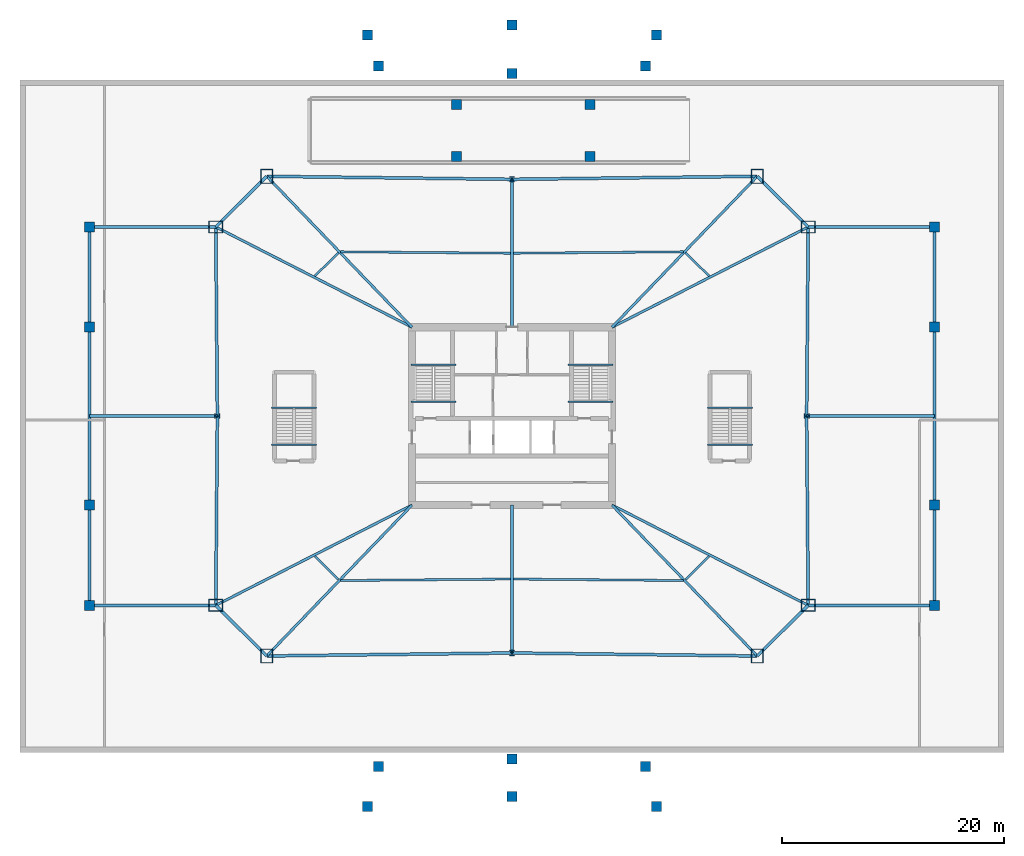
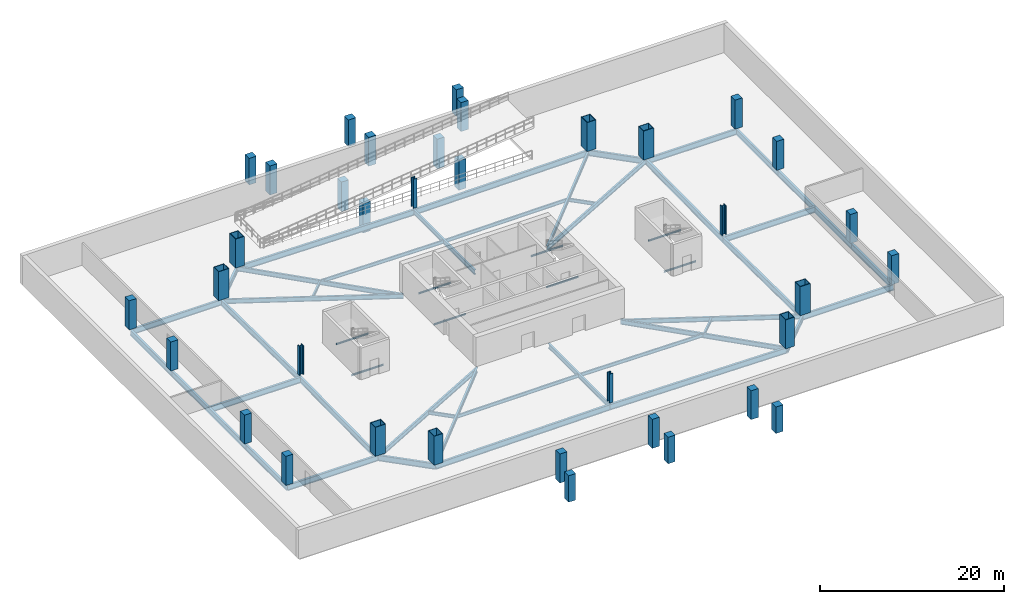
# One storey, part 1 of 9: 50 beams, 36 columns.
"""IFC4 building model written with IfcOpenShell, lengths in metres."""

from ifc_helpers import new_model, si_unit, direction, frame, origin, origin_2d, place, context, subcontext, project, spatial, rectangle, hollow_rectangle, i_section, extrude, material, material_profile, profile_set, type_object, element, save


model = new_model("IFC4")

# Units and contexts
model_context = context("Model", 3, precision=1e-05, world=origin(), true_north=direction((0.0, 1.0)))
body_context = subcontext(model_context, "Body", "Model", "MODEL_VIEW")
ifc_project = project(units=[si_unit("LENGTHUNIT", "METRE"), si_unit("AREAUNIT", "SQUARE_METRE"), si_unit("VOLUMEUNIT", "CUBIC_METRE"), si_unit("PLANEANGLEUNIT", "RADIAN"), si_unit("MASSUNIT", "GRAM", prefix="KILO")], contexts=[model_context])

# Site, building, storey
site_placement = place(None, origin())
site = spatial("IfcSite", under=ifc_project, at=site_placement, CompositionType="ELEMENT")
building_placement = place(site_placement, origin())
building = spatial("IfcBuilding", under=site, at=building_placement, Name="Caelvoria Tower", CompositionType="ELEMENT")
storey_placement = place(building_placement, frame((0.0, 0.0, -4.199951171875)))
storey = spatial("IfcBuildingStorey", under=building, at=storey_placement, Name="B1", CompositionType="ELEMENT", Elevation=-4.199951171875)

# Columns
ifc_material_1 = material(Name="Concrete C50/60", Category="concrete")
ifc_material_profile_1 = material_profile(ifc_material_1, rectangle(XDim=0.89990234375, YDim=0.89990234375, at=origin_2d()), Name="Concrete C50/60")
ifc_profile_set_1 = profile_set([ifc_material_profile_1], Name="RC_COL_900X900 - Concrete C50/60")
column_type_1 = type_object("IfcColumnType", Name="Basement RC Column 900x900", PredefinedType="COLUMN", material=ifc_profile_set_1)
for number, where, z_axis, x_axis, name in (
    (1, (8.0, 14.984375, 0.0), (0.0, 0.0, 1.0), (1.0, 0.0, 0.0), "Basement Wing Column B1-01"),
    (2, (8.0, 24.0, 0.0), (0.0, 0.0, 1.0), (1.0, 0.0, 0.0), "Basement Wing Column B1-02"),
    (3, (8.0, 40.0, 0.0), (0.0, 0.0, 1.0), (1.0, 0.0, 0.0), "Basement Wing Column B1-03"),
    (4, (8.0, 49.015625, 0.0), (0.0, 0.0, 1.0), (1.0, 0.0, 0.0), "Basement Wing Column B1-04"),
    (5, (84.0, 14.984375, 0.0), (0.0, 0.0, 1.0), (1.0, 0.0, 0.0), "Basement Wing Column B1-05"),
    (6, (84.0, 24.0, 0.0), (0.0, 0.0, 1.0), (1.0, 0.0, 0.0), "Basement Wing Column B1-06"),
    (7, (84.0, 40.0, 0.0), (0.0, 0.0, 1.0), (1.0, 0.0, 0.0), "Basement Wing Column B1-07"),
    (8, (84.0, 49.015625, 0.0), (0.0, 0.0, 1.0), (1.0, 0.0, 0.0), "Basement Wing Column B1-08"),
):
    element("IfcColumn", number, at=place(storey_placement, frame(where, z_axis=z_axis, x_axis=x_axis)), inside=storey, type_object=column_type_1, Name=name, PredefinedType="COLUMN", context=body_context, shape_type="SweptSolid", body=[
        extrude(rectangle(XDim=0.89990234375, YDim=0.89990234375, at=origin_2d()), origin(), (0.0, 0.0, 1.0), 3.847900390625),
    ])
for number, where, z_axis, x_axis, name in (
    (9, (33.0, -3.1201171875, 0.0), (0.0, 0.0, 1.0), (1.0, 0.0, 0.0), "Accessible Ramp Pier B1-S1"),
    (10, (46.0, -2.219970703125, 0.0), (0.0, 0.0, 1.0), (1.0, 0.0, 0.0), "Accessible Ramp Pier B1-S2"),
    (11, (59.0, -3.1201171875, 0.0), (0.0, 0.0, 1.0), (1.0, 0.0, 0.0), "Accessible Ramp Pier B1-S3"),
):
    element("IfcColumn", number, at=place(storey_placement, frame(where, z_axis=z_axis, x_axis=x_axis)), inside=storey, type_object=column_type_1, Name=name, PredefinedType="COLUMN", context=body_context, shape_type="SweptSolid", body=[
        extrude(rectangle(XDim=0.89990234375, YDim=0.89990234375, at=origin_2d()), origin(), (0.0, 0.0, 1.0), 3.510009765625),
    ])
for number, where, z_axis, x_axis, name in (
    (12, (34.0, 0.5, 0.0), (0.0, 0.0, 1.0), (1.0, 0.0, 0.0), "Plaza Threshold Pier B1-S1"),
    (13, (46.0, 1.169921875, 0.0), (0.0, 0.0, 1.0), (1.0, 0.0, 0.0), "Plaza Threshold Pier B1-S2"),
    (14, (58.0, 0.5, 0.0), (0.0, 0.0, 1.0), (1.0, 0.0, 0.0), "Plaza Threshold Pier B1-S3"),
):
    element("IfcColumn", number, at=place(storey_placement, frame(where, z_axis=z_axis, x_axis=x_axis)), inside=storey, type_object=column_type_1, Name=name, PredefinedType="COLUMN", context=body_context, shape_type="SweptSolid", body=[
        extrude(rectangle(XDim=0.89990234375, YDim=0.89990234375, at=origin_2d()), origin(), (0.0, 0.0, 1.0), 3.83984375),
    ])
for number, where, z_axis, x_axis, name in (
    (15, (33.0, 66.280029296875, 0.0), (0.0, 0.0, 1.0), (1.0, 0.0, 0.0), "Accessible Ramp Pier B1-N1"),
    (16, (46.0, 67.179931640625, 0.0), (0.0, 0.0, 1.0), (1.0, 0.0, 0.0), "Accessible Ramp Pier B1-N2"),
    (17, (59.0, 66.280029296875, 0.0), (0.0, 0.0, 1.0), (1.0, 0.0, 0.0), "Accessible Ramp Pier B1-N3"),
):
    element("IfcColumn", number, at=place(storey_placement, frame(where, z_axis=z_axis, x_axis=x_axis)), inside=storey, type_object=column_type_1, Name=name, PredefinedType="COLUMN", context=body_context, shape_type="SweptSolid", body=[
        extrude(rectangle(XDim=0.89990234375, YDim=0.89990234375, at=origin_2d()), origin(), (0.0, 0.0, 1.0), 3.510009765625),
    ])
for number, where, z_axis, x_axis, name in (
    (18, (34.0, 63.5, 0.0), (0.0, 0.0, 1.0), (1.0, 0.0, 0.0), "Plaza Threshold Pier B1-N1"),
    (19, (46.0, 62.830078125, 0.0), (0.0, 0.0, 1.0), (1.0, 0.0, 0.0), "Plaza Threshold Pier B1-N2"),
    (20, (58.0, 63.5, 0.0), (0.0, 0.0, 1.0), (1.0, 0.0, 0.0), "Plaza Threshold Pier B1-N3"),
):
    element("IfcColumn", number, at=place(storey_placement, frame(where, z_axis=z_axis, x_axis=x_axis)), inside=storey, type_object=column_type_1, Name=name, PredefinedType="COLUMN", context=body_context, shape_type="SweptSolid", body=[
        extrude(rectangle(XDim=0.89990234375, YDim=0.89990234375, at=origin_2d()), origin(), (0.0, 0.0, 1.0), 3.83984375),
    ])
for number, where, z_axis, x_axis, name in (
    (21, (41.0, 55.35009765625, -2.5654296875), (0.0, 0.0, 1.0), (1.0, 0.0, 0.0), "Vehicular Ramp Support Column B1-1"),
    (22, (41.0, 60.050048828125, -2.5654296875), (0.0, 0.0, 1.0), (1.0, 0.0, 0.0), "Vehicular Ramp Support Column B1-2"),
    (23, (53.0, 55.35009765625, -1.095947265625), (0.0, 0.0, 1.0), (1.0, 0.0, 0.0), "Vehicular Ramp Support Column B1-3"),
    (24, (53.0, 60.050048828125, -1.095947265625), (0.0, 0.0, 1.0), (1.0, 0.0, 0.0), "Vehicular Ramp Support Column B1-4"),
):
    element("IfcColumn", number, at=place(storey_placement, frame(where, z_axis=z_axis, x_axis=x_axis)), inside=storey, type_object=column_type_1, Name=name, PredefinedType="COLUMN", context=body_context, shape_type="SweptSolid", body=[
        extrude(rectangle(XDim=0.89990234375, YDim=0.89990234375, at=origin_2d()), origin(), (0.0, 0.0, 1.0), 3.91796875),
    ])
ifc_material_2 = material(Name="Structural Steel ASTM A913 Gr.65", Category="steel")
ifc_material_profile_2 = material_profile(ifc_material_2, i_section(OverallWidth=0.43896484375, OverallDepth=0.513916015625, WebThickness=0.059814453125, FlangeThickness=0.096923828125, FilletRadius=0.02490234375, at=origin_2d()), Name="Structural Steel ASTM A913 Gr.65")
ifc_profile_set_2 = profile_set([ifc_material_profile_2], Name="W360X818 - Structural Steel ASTM A913 Gr.65")
column_type_2 = type_object("IfcColumnType", Name="Heavy Frame Column W360X818", PredefinedType="COLUMN", material=ifc_profile_set_2)
for number, where, z_axis, x_axis, name in (
    (25, (46.0, 10.699951171875, 0.0), (0.0, 0.0, 1.0), (1.0, 0.0, 0.0), "Perimeter Megaframe Column B1-P01"),
    (26, (72.5, 32.0, 0.0), (0.0, 0.0, 1.0), (0.0, 1.0, 0.0), "Perimeter Megaframe Column B1-P04"),
    (27, (46.0, 53.300048828125, 0.0), (0.0, 0.0, 1.0), (1.0, 0.0, 0.0), "Perimeter Megaframe Column B1-P07"),
    (28, (19.5, 32.0, 0.0), (0.0, 0.0, 1.0), (0.0, 1.0, 0.0), "Perimeter Megaframe Column B1-P10"),
):
    element("IfcColumn", number, at=place(storey_placement, frame(where, z_axis=z_axis, x_axis=x_axis)), inside=storey, type_object=column_type_2, Name=name, PredefinedType="COLUMN", context=body_context, shape_type="SweptSolid", body=[
        extrude(i_section(OverallWidth=0.43896484375, OverallDepth=0.513916015625, WebThickness=0.059814453125, FlangeThickness=0.096923828125, FilletRadius=0.02490234375, at=origin_2d()), origin(), (0.0, 0.0, 1.0), 3.847900390625),
    ])
ifc_material_3 = material(Name="Structural Steel ASTM A572 Gr.50", Category="steel")
ifc_material_profile_3 = material_profile(ifc_material_3, hollow_rectangle(XDim=1.10009765625, YDim=1.300048828125, WallThickness=0.070068359375, at=origin_2d()), Name="Structural Steel ASTM A572 Gr.50")
ifc_profile_set_3 = profile_set([ifc_material_profile_3], Name="BOX1300X1100X70 - Structural Steel ASTM A572 Gr.50")
column_type_3 = type_object("IfcColumnType", Name="Mega Box Column 1300x1100x70", PredefinedType="COLUMN", material=ifc_profile_set_3)
for number, where, z_axis, x_axis, name in (
    (29, (23.943359375, 10.42919921875, 0.0), (0.0, 0.0, 1.0), (1.0, 0.0, 0.0), "Perimeter Megaframe Column B1-P00"),
    (30, (68.056640625, 10.42919921875, 0.0), (0.0, 0.0, 1.0), (1.0, 0.0, 0.0), "Perimeter Megaframe Column B1-P02"),
    (31, (72.6416015625, 14.984375, 0.0), (0.0, 0.0, 1.0), (0.0, 1.0, 0.0), "Perimeter Megaframe Column B1-P03"),
    (32, (72.6416015625, 49.015625, 0.0), (0.0, 0.0, 1.0), (0.0, 1.0, 0.0), "Perimeter Megaframe Column B1-P05"),
    (33, (68.056640625, 53.57080078125, 0.0), (0.0, 0.0, 1.0), (1.0, 0.0, 0.0), "Perimeter Megaframe Column B1-P06"),
    (34, (23.943359375, 53.57080078125, 0.0), (0.0, 0.0, 1.0), (1.0, 0.0, 0.0), "Perimeter Megaframe Column B1-P08"),
    (35, (19.3583984375, 49.015625, 0.0), (0.0, 0.0, 1.0), (0.0, 1.0, 0.0), "Perimeter Megaframe Column B1-P09"),
    (36, (19.3583984375, 14.984375, 0.0), (0.0, 0.0, 1.0), (0.0, 1.0, 0.0), "Perimeter Megaframe Column B1-P11"),
):
    element("IfcColumn", number, at=place(storey_placement, frame(where, z_axis=z_axis, x_axis=x_axis)), inside=storey, type_object=column_type_3, Name=name, PredefinedType="COLUMN", context=body_context, shape_type="SweptSolid", body=[
        extrude(hollow_rectangle(XDim=1.10009765625, YDim=1.300048828125, WallThickness=0.070068359375, at=origin_2d()), origin(), (0.0, 0.0, 1.0), 3.847900390625),
    ])

# Beams
ifc_material_4 = material(Name="Structural Steel ASTM A992 Gr.50", Category="steel")
ifc_material_profile_4 = material_profile(ifc_material_4, i_section(OverallWidth=0.26708984375, OverallDepth=0.76611328125, WebThickness=0.014892578125, FlangeThickness=0.023681640625, FilletRadius=0.02001953125, at=origin_2d()), Name="Structural Steel ASTM A992 Gr.50")
ifc_profile_set_4 = profile_set([ifc_material_profile_4], Name="W760X185 - Structural Steel ASTM A992 Gr.50")
beam_type_1 = type_object("IfcBeamType", Name="Basement Heavy Girder W760X185", PredefinedType="BEAM", material=ifc_profile_set_4)
for number, where, z_axis, x_axis, name in (
    (37, (23.943359375, 10.42919921875, -0.68310546875), (0.999924666978, 0.01227437855, 0.0), (-0.01227437855, 0.999924666978, 0.0), "Perimeter Spandrel Girder B1-00"),
    (38, (46.0, 10.699951171875, -0.68310546875), (0.999924666978, -0.01227437855, 0.0), (0.01227437855, 0.999924666978, 0.0), "Perimeter Spandrel Girder B1-01"),
):
    element("IfcBeam", number, at=place(storey_placement, frame(where, z_axis=z_axis, x_axis=x_axis)), inside=storey, type_object=beam_type_1, Name=name, PredefinedType="BEAM", context=body_context, shape_type="SweptSolid", body=[
        extrude(i_section(OverallWidth=0.26708984375, OverallDepth=0.76611328125, WebThickness=0.014892578125, FlangeThickness=0.023681640625, FilletRadius=0.02001953125, at=origin_2d()), origin(), (0.0, 0.0, 1.0), 22.058349609375),
    ])
beam_1_placement = place(storey_placement, frame((68.056640625, 10.42919921875, -0.68310546875), z_axis=(0.709407278283, 0.704798775197, 0.0), x_axis=(-0.704798775197, 0.709407278283, 0.0)))
element("IfcBeam", 39, at=beam_1_placement, inside=storey, type_object=beam_type_1, Name="Perimeter Spandrel Girder B1-02", PredefinedType="BEAM", context=body_context, shape_type="SweptSolid", body=[
    extrude(i_section(OverallWidth=0.26708984375, OverallDepth=0.76611328125, WebThickness=0.014892578125, FlangeThickness=0.023681640625, FilletRadius=0.02001953125, at=origin_2d()), origin(), (0.0, 0.0, 1.0), 6.463134765625),
])
for number, where, z_axis, x_axis, name in (
    (40, (72.6416015625, 14.984375, -0.68310546875), (-0.00832156677, 0.999965375164, 0.0), (-0.999965375164, -0.00832156677, 0.0), "Perimeter Spandrel Girder B1-03"),
    (41, (72.5, 32.0, -0.68310546875), (0.00832156677, 0.999965375164, 0.0), (-0.999965375164, 0.00832156677, 0.0), "Perimeter Spandrel Girder B1-04"),
):
    element("IfcBeam", number, at=place(storey_placement, frame(where, z_axis=z_axis, x_axis=x_axis)), inside=storey, type_object=beam_type_1, Name=name, PredefinedType="BEAM", context=body_context, shape_type="SweptSolid", body=[
        extrude(i_section(OverallWidth=0.26708984375, OverallDepth=0.76611328125, WebThickness=0.014892578125, FlangeThickness=0.023681640625, FilletRadius=0.02001953125, at=origin_2d()), origin(), (0.0, 0.0, 1.0), 17.01611328125),
    ])
beam_2_placement = place(storey_placement, frame((72.6416015625, 49.015625, -0.68310546875), z_axis=(-0.709407278283, 0.704798775197, 0.0), x_axis=(-0.704798775197, -0.709407278283, 0.0)))
element("IfcBeam", 42, at=beam_2_placement, inside=storey, type_object=beam_type_1, Name="Perimeter Spandrel Girder B1-05", PredefinedType="BEAM", context=body_context, shape_type="SweptSolid", body=[
    extrude(i_section(OverallWidth=0.26708984375, OverallDepth=0.76611328125, WebThickness=0.014892578125, FlangeThickness=0.023681640625, FilletRadius=0.02001953125, at=origin_2d()), origin(), (0.0, 0.0, 1.0), 6.463134765625),
])
for number, where, z_axis, x_axis, name in (
    (43, (68.056640625, 53.57080078125, -0.68310546875), (-0.999924666978, -0.01227437855, 0.0), (0.01227437855, -0.999924666978, 0.0), "Perimeter Spandrel Girder B1-06"),
    (44, (46.0, 53.300048828125, -0.68310546875), (-0.999924666978, 0.01227437855, 0.0), (-0.01227437855, -0.999924666978, 0.0), "Perimeter Spandrel Girder B1-07"),
):
    element("IfcBeam", number, at=place(storey_placement, frame(where, z_axis=z_axis, x_axis=x_axis)), inside=storey, type_object=beam_type_1, Name=name, PredefinedType="BEAM", context=body_context, shape_type="SweptSolid", body=[
        extrude(i_section(OverallWidth=0.26708984375, OverallDepth=0.76611328125, WebThickness=0.014892578125, FlangeThickness=0.023681640625, FilletRadius=0.02001953125, at=origin_2d()), origin(), (0.0, 0.0, 1.0), 22.058349609375),
    ])
beam_3_placement = place(storey_placement, frame((23.943359375, 53.57080078125, -0.68310546875), z_axis=(-0.709407278283, -0.704798775197, 0.0), x_axis=(0.704798775197, -0.709407278283, 0.0)))
element("IfcBeam", 45, at=beam_3_placement, inside=storey, type_object=beam_type_1, Name="Perimeter Spandrel Girder B1-08", PredefinedType="BEAM", context=body_context, shape_type="SweptSolid", body=[
    extrude(i_section(OverallWidth=0.26708984375, OverallDepth=0.76611328125, WebThickness=0.014892578125, FlangeThickness=0.023681640625, FilletRadius=0.02001953125, at=origin_2d()), origin(), (0.0, 0.0, 1.0), 6.463134765625),
])
for number, where, z_axis, x_axis, name in (
    (46, (19.3583984375, 49.015625, -0.68310546875), (0.00832156677, -0.999965375164, 0.0), (0.999965375164, 0.00832156677, 0.0), "Perimeter Spandrel Girder B1-09"),
    (47, (19.5, 32.0, -0.68310546875), (-0.00832156677, -0.999965375164, 0.0), (0.999965375164, -0.00832156677, 0.0), "Perimeter Spandrel Girder B1-10"),
):
    element("IfcBeam", number, at=place(storey_placement, frame(where, z_axis=z_axis, x_axis=x_axis)), inside=storey, type_object=beam_type_1, Name=name, PredefinedType="BEAM", context=body_context, shape_type="SweptSolid", body=[
        extrude(i_section(OverallWidth=0.26708984375, OverallDepth=0.76611328125, WebThickness=0.014892578125, FlangeThickness=0.023681640625, FilletRadius=0.02001953125, at=origin_2d()), origin(), (0.0, 0.0, 1.0), 17.01611328125),
    ])
beam_4_placement = place(storey_placement, frame((19.3583984375, 14.984375, -0.68310546875), z_axis=(0.709407278283, -0.704798775197, 0.0), x_axis=(0.704798775197, 0.709407278283, 0.0)))
element("IfcBeam", 48, at=beam_4_placement, inside=storey, type_object=beam_type_1, Name="Perimeter Spandrel Girder B1-11", PredefinedType="BEAM", context=body_context, shape_type="SweptSolid", body=[
    extrude(i_section(OverallWidth=0.26708984375, OverallDepth=0.76611328125, WebThickness=0.014892578125, FlangeThickness=0.023681640625, FilletRadius=0.02001953125, at=origin_2d()), origin(), (0.0, 0.0, 1.0), 6.463134765625),
])
beam_5_placement = place(storey_placement, frame((8.0, 14.984375, -0.68310546875), z_axis=(0.0, 1.0, 0.0), x_axis=(-1.0, 0.0, 0.0)))
element("IfcBeam", 49, at=beam_5_placement, inside=storey, type_object=beam_type_1, Name="Podium Wing Edge Girder B1-W1", PredefinedType="BEAM", context=body_context, shape_type="SweptSolid", body=[
    extrude(i_section(OverallWidth=0.26708984375, OverallDepth=0.76611328125, WebThickness=0.014892578125, FlangeThickness=0.023681640625, FilletRadius=0.02001953125, at=origin_2d()), origin(), (0.0, 0.0, 1.0), 9.015625),
])
beam_6_placement = place(storey_placement, frame((8.0, 24.0, -0.68310546875), z_axis=(0.0, 1.0, 0.0), x_axis=(-1.0, 0.0, 0.0)))
element("IfcBeam", 50, at=beam_6_placement, inside=storey, type_object=beam_type_1, Name="Podium Wing Edge Girder B1-W2", PredefinedType="BEAM", context=body_context, shape_type="SweptSolid", body=[
    extrude(i_section(OverallWidth=0.26708984375, OverallDepth=0.76611328125, WebThickness=0.014892578125, FlangeThickness=0.023681640625, FilletRadius=0.02001953125, at=origin_2d()), origin(), (0.0, 0.0, 1.0), 16.0),
])
beam_7_placement = place(storey_placement, frame((8.0, 40.0, -0.68310546875), z_axis=(0.0, 1.0, 0.0), x_axis=(-1.0, 0.0, 0.0)))
element("IfcBeam", 51, at=beam_7_placement, inside=storey, type_object=beam_type_1, Name="Podium Wing Edge Girder B1-W3", PredefinedType="BEAM", context=body_context, shape_type="SweptSolid", body=[
    extrude(i_section(OverallWidth=0.26708984375, OverallDepth=0.76611328125, WebThickness=0.014892578125, FlangeThickness=0.023681640625, FilletRadius=0.02001953125, at=origin_2d()), origin(), (0.0, 0.0, 1.0), 9.015625),
])
beam_8_placement = place(storey_placement, frame((8.0, 14.984375, -0.68310546875), z_axis=(1.0, 0.0, 0.0), x_axis=(0.0, 1.0, 0.0)))
element("IfcBeam", 52, at=beam_8_placement, inside=storey, type_object=beam_type_1, Name="Podium Wing Tie Girder B1-WS", PredefinedType="BEAM", context=body_context, shape_type="SweptSolid", body=[
    extrude(i_section(OverallWidth=0.26708984375, OverallDepth=0.76611328125, WebThickness=0.014892578125, FlangeThickness=0.023681640625, FilletRadius=0.02001953125, at=origin_2d()), origin(), (0.0, 0.0, 1.0), 11.3583984375),
])
beam_9_placement = place(storey_placement, frame((8.0, 32.0, -0.68310546875), z_axis=(1.0, 0.0, 0.0), x_axis=(0.0, 1.0, 0.0)))
element("IfcBeam", 53, at=beam_9_placement, inside=storey, type_object=beam_type_1, Name="Podium Wing Tie Girder B1-WM", PredefinedType="BEAM", context=body_context, shape_type="SweptSolid", body=[
    extrude(i_section(OverallWidth=0.26708984375, OverallDepth=0.76611328125, WebThickness=0.014892578125, FlangeThickness=0.023681640625, FilletRadius=0.02001953125, at=origin_2d()), origin(), (0.0, 0.0, 1.0), 11.5),
])
beam_10_placement = place(storey_placement, frame((8.0, 49.015625, -0.68310546875), z_axis=(1.0, 0.0, 0.0), x_axis=(0.0, 1.0, 0.0)))
element("IfcBeam", 54, at=beam_10_placement, inside=storey, type_object=beam_type_1, Name="Podium Wing Tie Girder B1-WN", PredefinedType="BEAM", context=body_context, shape_type="SweptSolid", body=[
    extrude(i_section(OverallWidth=0.26708984375, OverallDepth=0.76611328125, WebThickness=0.014892578125, FlangeThickness=0.023681640625, FilletRadius=0.02001953125, at=origin_2d()), origin(), (0.0, 0.0, 1.0), 11.3583984375),
])
beam_11_placement = place(storey_placement, frame((84.0, 14.984375, -0.68310546875), z_axis=(0.0, 1.0, 0.0), x_axis=(-1.0, 0.0, 0.0)))
element("IfcBeam", 55, at=beam_11_placement, inside=storey, type_object=beam_type_1, Name="Podium Wing Edge Girder B1-E1", PredefinedType="BEAM", context=body_context, shape_type="SweptSolid", body=[
    extrude(i_section(OverallWidth=0.26708984375, OverallDepth=0.76611328125, WebThickness=0.014892578125, FlangeThickness=0.023681640625, FilletRadius=0.02001953125, at=origin_2d()), origin(), (0.0, 0.0, 1.0), 9.015625),
])
beam_12_placement = place(storey_placement, frame((84.0, 24.0, -0.68310546875), z_axis=(0.0, 1.0, 0.0), x_axis=(-1.0, 0.0, 0.0)))
element("IfcBeam", 56, at=beam_12_placement, inside=storey, type_object=beam_type_1, Name="Podium Wing Edge Girder B1-E2", PredefinedType="BEAM", context=body_context, shape_type="SweptSolid", body=[
    extrude(i_section(OverallWidth=0.26708984375, OverallDepth=0.76611328125, WebThickness=0.014892578125, FlangeThickness=0.023681640625, FilletRadius=0.02001953125, at=origin_2d()), origin(), (0.0, 0.0, 1.0), 16.0),
])
beam_13_placement = place(storey_placement, frame((84.0, 40.0, -0.68310546875), z_axis=(0.0, 1.0, 0.0), x_axis=(-1.0, 0.0, 0.0)))
element("IfcBeam", 57, at=beam_13_placement, inside=storey, type_object=beam_type_1, Name="Podium Wing Edge Girder B1-E3", PredefinedType="BEAM", context=body_context, shape_type="SweptSolid", body=[
    extrude(i_section(OverallWidth=0.26708984375, OverallDepth=0.76611328125, WebThickness=0.014892578125, FlangeThickness=0.023681640625, FilletRadius=0.02001953125, at=origin_2d()), origin(), (0.0, 0.0, 1.0), 9.015625),
])
beam_14_placement = place(storey_placement, frame((84.0, 14.984375, -0.68310546875), z_axis=(-1.0, 0.0, 0.0), x_axis=(0.0, -1.0, 0.0)))
element("IfcBeam", 58, at=beam_14_placement, inside=storey, type_object=beam_type_1, Name="Podium Wing Tie Girder B1-ES", PredefinedType="BEAM", context=body_context, shape_type="SweptSolid", body=[
    extrude(i_section(OverallWidth=0.26708984375, OverallDepth=0.76611328125, WebThickness=0.014892578125, FlangeThickness=0.023681640625, FilletRadius=0.02001953125, at=origin_2d()), origin(), (0.0, 0.0, 1.0), 11.3583984375),
])
beam_15_placement = place(storey_placement, frame((84.0, 32.0, -0.68310546875), z_axis=(-1.0, 0.0, 0.0), x_axis=(0.0, -1.0, 0.0)))
element("IfcBeam", 59, at=beam_15_placement, inside=storey, type_object=beam_type_1, Name="Podium Wing Tie Girder B1-EM", PredefinedType="BEAM", context=body_context, shape_type="SweptSolid", body=[
    extrude(i_section(OverallWidth=0.26708984375, OverallDepth=0.76611328125, WebThickness=0.014892578125, FlangeThickness=0.023681640625, FilletRadius=0.02001953125, at=origin_2d()), origin(), (0.0, 0.0, 1.0), 11.5),
])
beam_16_placement = place(storey_placement, frame((84.0, 49.015625, -0.68310546875), z_axis=(-1.0, 0.0, 0.0), x_axis=(0.0, -1.0, 0.0)))
element("IfcBeam", 60, at=beam_16_placement, inside=storey, type_object=beam_type_1, Name="Podium Wing Tie Girder B1-EN", PredefinedType="BEAM", context=body_context, shape_type="SweptSolid", body=[
    extrude(i_section(OverallWidth=0.26708984375, OverallDepth=0.76611328125, WebThickness=0.014892578125, FlangeThickness=0.023681640625, FilletRadius=0.02001953125, at=origin_2d()), origin(), (0.0, 0.0, 1.0), 11.3583984375),
])
ifc_material_profile_5 = material_profile(ifc_material_4, i_section(OverallWidth=0.134033203125, OverallDepth=0.2099609375, WebThickness=0.00634765625, FlangeThickness=0.01025390625, FilletRadius=0.010009765625, at=origin_2d()), Name="Structural Steel ASTM A992 Gr.50")
ifc_profile_set_5 = profile_set([ifc_material_profile_5], Name="W200X31.3 - Structural Steel ASTM A992 Gr.50")
beam_type_2 = type_object("IfcBeamType", Name="Canopy Edge Trim Beam W200X31.3", PredefinedType="BEAM", material=ifc_profile_set_5)
for number, where, z_axis, x_axis, name in (
    (61, (36.929931640625, 36.625, 1.794921875), (1.0, 0.0, 0.0), (0.0, 1.0, 0.0), "ST-01 Half-Landing Support Beam B1"),
    (62, (36.929931640625, 33.300048828125, -0.304931640625), (1.0, 0.0, 0.0), (0.0, 1.0, 0.0), "ST-01 Floor-Landing Support Beam B1"),
    (63, (51.030029296875, 36.625, 1.794921875), (1.0, 0.0, 0.0), (0.0, 1.0, 0.0), "ST-02 Half-Landing Support Beam B1"),
    (64, (51.030029296875, 33.300048828125, -0.304931640625), (1.0, 0.0, 0.0), (0.0, 1.0, 0.0), "ST-02 Floor-Landing Support Beam B1"),
    (65, (24.3798828125, 32.77490234375, 1.794921875), (1.0, 0.0, 0.0), (0.0, 1.0, 0.0), "ST-03 Half-Landing Support Beam B1"),
    (66, (24.3798828125, 29.449951171875, -0.304931640625), (1.0, 0.0, 0.0), (0.0, 1.0, 0.0), "ST-03 Floor-Landing Support Beam B1"),
    (67, (63.580078125, 32.77490234375, 1.794921875), (1.0, 0.0, 0.0), (0.0, 1.0, 0.0), "ST-04 Half-Landing Support Beam B1"),
    (68, (63.580078125, 29.449951171875, -0.304931640625), (1.0, 0.0, 0.0), (0.0, 1.0, 0.0), "ST-04 Floor-Landing Support Beam B1"),
):
    element("IfcBeam", number, at=place(storey_placement, frame(where, z_axis=z_axis, x_axis=x_axis)), inside=storey, type_object=beam_type_2, Name=name, PredefinedType="BEAM", context=body_context, shape_type="SweptSolid", body=[
        extrude(i_section(OverallWidth=0.134033203125, OverallDepth=0.2099609375, WebThickness=0.00634765625, FlangeThickness=0.01025390625, FilletRadius=0.010009765625, at=origin_2d()), origin(), (0.0, 0.0, 1.0), 4.0400390625),
    ])
ifc_material_profile_6 = material_profile(ifc_material_4, i_section(OverallWidth=0.22900390625, OverallDepth=0.612060546875, WebThickness=0.011962890625, FlangeThickness=0.01953125, FilletRadius=0.01806640625, at=origin_2d()), Name="Structural Steel ASTM A992 Gr.50")
ifc_profile_set_6 = profile_set([ifc_material_profile_6], Name="W610X125 - Structural Steel ASTM A992 Gr.50")
beam_type_3 = type_object("IfcBeamType", Name="Primary Radial Floor Girder W610X125", PredefinedType="BEAM", material=ifc_profile_set_6)
beam_17_placement = place(storey_placement, frame((37.0, 24.0, -0.60595703125), z_axis=(-0.69332372519, -0.720626263807, 0.0), x_axis=(0.720626263807, -0.69332372519, 0.0)))
element("IfcBeam", 69, at=beam_17_placement, inside=storey, type_object=beam_type_3, Name="Primary Floor Girder B1-00", PredefinedType="BEAM", context=body_context, shape_type="SweptSolid", body=[
    extrude(i_section(OverallWidth=0.22900390625, OverallDepth=0.612060546875, WebThickness=0.011962890625, FlangeThickness=0.01953125, FilletRadius=0.01806640625, at=origin_2d()), origin(), (0.0, 0.0, 1.0), 18.83203125),
])
beam_18_placement = place(storey_placement, frame((46.0, 24.0, -0.60595703125), z_axis=(0.0, -1.0, 0.0), x_axis=(1.0, 0.0, 0.0)))
element("IfcBeam", 70, at=beam_18_placement, inside=storey, type_object=beam_type_3, Name="Primary Floor Girder B1-01", PredefinedType="BEAM", context=body_context, shape_type="SweptSolid", body=[
    extrude(i_section(OverallWidth=0.22900390625, OverallDepth=0.612060546875, WebThickness=0.011962890625, FlangeThickness=0.01953125, FilletRadius=0.01806640625, at=origin_2d()), origin(), (0.0, 0.0, 1.0), 13.300048828125),
])
beam_19_placement = place(storey_placement, frame((55.0, 24.0, -0.60595703125), z_axis=(0.69332372519, -0.720626263807, 0.0), x_axis=(0.720626263807, 0.69332372519, 0.0)))
element("IfcBeam", 71, at=beam_19_placement, inside=storey, type_object=beam_type_3, Name="Primary Floor Girder B1-02", PredefinedType="BEAM", context=body_context, shape_type="SweptSolid", body=[
    extrude(i_section(OverallWidth=0.22900390625, OverallDepth=0.612060546875, WebThickness=0.011962890625, FlangeThickness=0.01953125, FilletRadius=0.01806640625, at=origin_2d()), origin(), (0.0, 0.0, 1.0), 18.83203125),
])
for number, where, z_axis, x_axis, name in (
    (72, (55.0, 24.0, -0.60595703125), (0.890459095292, -0.455063291876, 0.0), (0.455063291876, 0.890459095292, 0.0), "Primary Floor Girder B1-03"),
    (73, (55.0, 40.0, -0.60595703125), (0.890459095292, 0.455063291876, 0.0), (-0.455063291876, 0.890459095292, 0.0), "Primary Floor Girder B1-05"),
):
    element("IfcBeam", number, at=place(storey_placement, frame(where, z_axis=z_axis, x_axis=x_axis)), inside=storey, type_object=beam_type_3, Name=name, PredefinedType="BEAM", context=body_context, shape_type="SweptSolid", body=[
        extrude(i_section(OverallWidth=0.22900390625, OverallDepth=0.612060546875, WebThickness=0.011962890625, FlangeThickness=0.01953125, FilletRadius=0.01806640625, at=origin_2d()), origin(), (0.0, 0.0, 1.0), 19.811767578125),
    ])
beam_20_placement = place(storey_placement, frame((55.0, 40.0, -0.60595703125), z_axis=(0.69332372519, 0.720626263807, 0.0), x_axis=(-0.720626263807, 0.69332372519, 0.0)))
element("IfcBeam", 74, at=beam_20_placement, inside=storey, type_object=beam_type_3, Name="Primary Floor Girder B1-06", PredefinedType="BEAM", context=body_context, shape_type="SweptSolid", body=[
    extrude(i_section(OverallWidth=0.22900390625, OverallDepth=0.612060546875, WebThickness=0.011962890625, FlangeThickness=0.01953125, FilletRadius=0.01806640625, at=origin_2d()), origin(), (0.0, 0.0, 1.0), 18.83203125),
])
beam_21_placement = place(storey_placement, frame((46.0, 40.0, -0.60595703125), z_axis=(0.0, 1.0, 0.0), x_axis=(-1.0, 0.0, 0.0)))
element("IfcBeam", 75, at=beam_21_placement, inside=storey, type_object=beam_type_3, Name="Primary Floor Girder B1-07", PredefinedType="BEAM", context=body_context, shape_type="SweptSolid", body=[
    extrude(i_section(OverallWidth=0.22900390625, OverallDepth=0.612060546875, WebThickness=0.011962890625, FlangeThickness=0.01953125, FilletRadius=0.01806640625, at=origin_2d()), origin(), (0.0, 0.0, 1.0), 13.300048828125),
])
beam_22_placement = place(storey_placement, frame((37.0, 40.0, -0.60595703125), z_axis=(-0.69332372519, 0.720626263807, 0.0), x_axis=(-0.720626263807, -0.69332372519, 0.0)))
element("IfcBeam", 76, at=beam_22_placement, inside=storey, type_object=beam_type_3, Name="Primary Floor Girder B1-08", PredefinedType="BEAM", context=body_context, shape_type="SweptSolid", body=[
    extrude(i_section(OverallWidth=0.22900390625, OverallDepth=0.612060546875, WebThickness=0.011962890625, FlangeThickness=0.01953125, FilletRadius=0.01806640625, at=origin_2d()), origin(), (0.0, 0.0, 1.0), 18.83203125),
])
for number, where, z_axis, x_axis, name in (
    (77, (37.0, 40.0, -0.60595703125), (-0.890459095292, 0.455063291876, 0.0), (-0.455063291876, -0.890459095292, 0.0), "Primary Floor Girder B1-09"),
    (78, (37.0, 24.0, -0.60595703125), (-0.890459095292, -0.455063291876, 0.0), (0.455063291876, -0.890459095292, 0.0), "Primary Floor Girder B1-11"),
):
    element("IfcBeam", number, at=place(storey_placement, frame(where, z_axis=z_axis, x_axis=x_axis)), inside=storey, type_object=beam_type_3, Name=name, PredefinedType="BEAM", context=body_context, shape_type="SweptSolid", body=[
        extrude(i_section(OverallWidth=0.22900390625, OverallDepth=0.612060546875, WebThickness=0.011962890625, FlangeThickness=0.01953125, FilletRadius=0.01806640625, at=origin_2d()), origin(), (0.0, 0.0, 1.0), 19.811767578125),
    ])
ifc_material_profile_7 = material_profile(ifc_material_4, i_section(OverallWidth=0.18994140625, OverallDepth=0.45703125, WebThickness=0.009033203125, FlangeThickness=0.014404296875, FilletRadius=0.014892578125, at=origin_2d()), Name="Structural Steel ASTM A992 Gr.50")
ifc_profile_set_7 = profile_set([ifc_material_profile_7], Name="W460X74 - Structural Steel ASTM A992 Gr.50")
beam_type_4 = type_object("IfcBeamType", Name="Secondary Floor Beam W460X74", PredefinedType="BEAM", material=ifc_profile_set_7)
for number, where, z_axis, x_axis, name in (
    (79, (30.5966796875, 17.2158203125, -0.528564453125), (0.9999620801, 0.00870852243, 0.0), (-0.00870852243, 0.9999620801, 0.0), "Secondary Floor Beam B1-00"),
    (80, (46.125, 17.348876953125, -0.528564453125), (0.9999620801, -0.00870852243, 0.0), (0.00870852243, 0.9999620801, 0.0), "Secondary Floor Beam B1-01"),
):
    element("IfcBeam", number, at=place(storey_placement, frame(where, z_axis=z_axis, x_axis=x_axis)), inside=storey, type_object=beam_type_4, Name=name, PredefinedType="BEAM", context=body_context, shape_type="SweptSolid", body=[
        extrude(i_section(OverallWidth=0.18994140625, OverallDepth=0.45703125, WebThickness=0.009033203125, FlangeThickness=0.014404296875, FilletRadius=0.014892578125, at=origin_2d()), origin(), (0.0, 0.0, 1.0), 15.27880859375),
    ])
for number, where, z_axis, x_axis, name in (
    (81, (61.616943359375, 17.302734375, -0.528564453125), (0.709395928351, 0.704810199159, 0.0), (-0.704810199159, 0.709395928351, 0.0), "Secondary Floor Beam B1-02"),
    (82, (63.73193359375, 44.595947265625, -0.528564453125), (-0.709395928351, 0.704810199159, 0.0), (-0.704810199159, -0.709395928351, 0.0), "Secondary Floor Beam B1-05"),
):
    element("IfcBeam", number, at=place(storey_placement, frame(where, z_axis=z_axis, x_axis=x_axis)), inside=storey, type_object=beam_type_4, Name=name, PredefinedType="BEAM", context=body_context, shape_type="SweptSolid", body=[
        extrude(i_section(OverallWidth=0.18994140625, OverallDepth=0.45703125, WebThickness=0.009033203125, FlangeThickness=0.014404296875, FilletRadius=0.014892578125, at=origin_2d()), origin(), (0.0, 0.0, 1.0), 2.9814453125),
    ])
for number, where, z_axis, x_axis, name in (
    (83, (61.4033203125, 46.7841796875, -0.528564453125), (-0.9999620801, -0.00870852243, 0.0), (0.00870852243, -0.9999620801, 0.0), "Secondary Floor Beam B1-06"),
    (84, (45.875, 46.651123046875, -0.528564453125), (-0.9999620801, 0.00870852243, 0.0), (-0.00870852243, -0.9999620801, 0.0), "Secondary Floor Beam B1-07"),
):
    element("IfcBeam", number, at=place(storey_placement, frame(where, z_axis=z_axis, x_axis=x_axis)), inside=storey, type_object=beam_type_4, Name=name, PredefinedType="BEAM", context=body_context, shape_type="SweptSolid", body=[
        extrude(i_section(OverallWidth=0.18994140625, OverallDepth=0.45703125, WebThickness=0.009033203125, FlangeThickness=0.014404296875, FilletRadius=0.014892578125, at=origin_2d()), origin(), (0.0, 0.0, 1.0), 15.27880859375),
    ])
for number, where, z_axis, x_axis, name in (
    (85, (30.383056640625, 46.697265625, -0.528564453125), (-0.709436603289, -0.704769257214, 0.0), (0.704769257214, -0.709436603289, 0.0), "Secondary Floor Beam B1-08"),
    (86, (28.267822265625, 19.404052734375, -0.528564453125), (0.709436603289, -0.704769257214, 0.0), (0.704769257214, 0.709436603289, 0.0), "Secondary Floor Beam B1-11"),
):
    element("IfcBeam", number, at=place(storey_placement, frame(where, z_axis=z_axis, x_axis=x_axis)), inside=storey, type_object=beam_type_4, Name=name, PredefinedType="BEAM", context=body_context, shape_type="SweptSolid", body=[
        extrude(i_section(OverallWidth=0.18994140625, OverallDepth=0.45703125, WebThickness=0.009033203125, FlangeThickness=0.014404296875, FilletRadius=0.014892578125, at=origin_2d()), origin(), (0.0, 0.0, 1.0), 2.981689453125),
    ])

save(model, "model.ifc")
